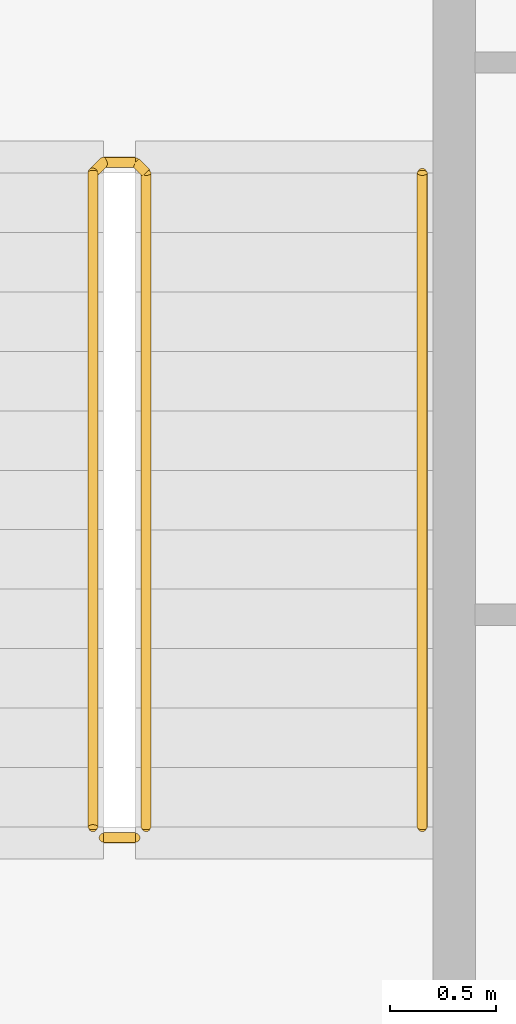
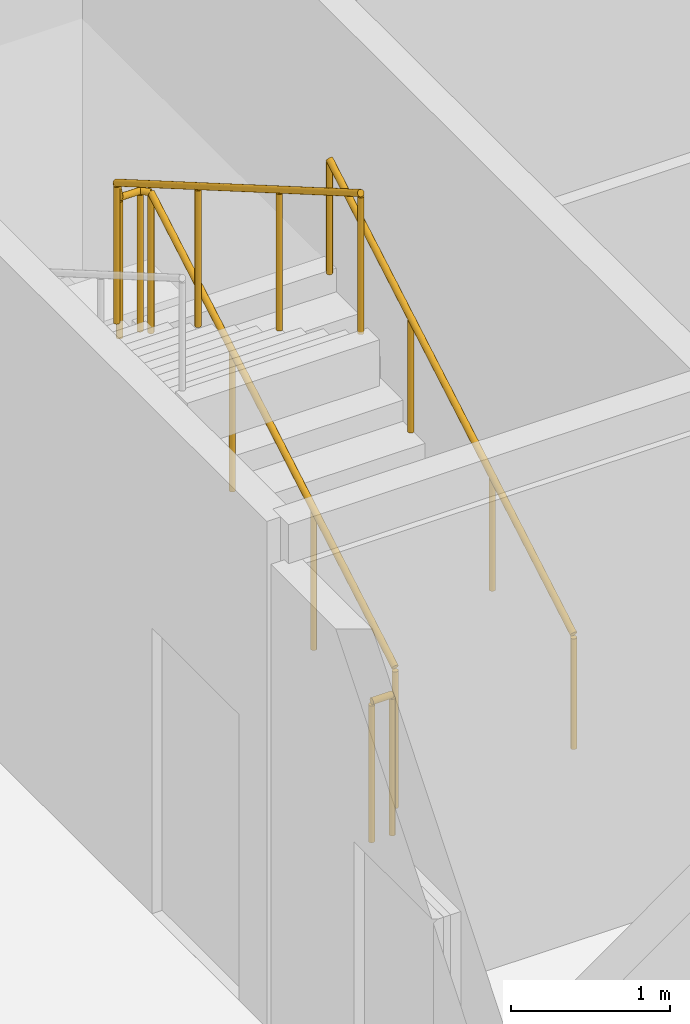
# One storey, part 16 of 17: 3 railings.
"""IFC4 building model written with IfcOpenShell, lengths in metres."""

from ifc_helpers import new_model, si_unit, direction, frame, origin, origin_2d, place, context, subcontext, project, spatial, circle, extrude, material, type_object, element, save


model = new_model("IFC4")

# Units and contexts
model_context = context("Model", 3, precision=1e-05, world=origin(), true_north=direction((0.0, 1.0)))
body_context = subcontext(model_context, "Body", "Model", "MODEL_VIEW")
ifc_project = project(units=[si_unit("LENGTHUNIT", "METRE"), si_unit("AREAUNIT", "SQUARE_METRE"), si_unit("VOLUMEUNIT", "CUBIC_METRE"), si_unit("PLANEANGLEUNIT", "RADIAN"), si_unit("MASSUNIT", "GRAM", prefix="KILO")], contexts=[model_context])

# Site, building, storey
site_placement = place(None, origin())
site = spatial("IfcSite", under=ifc_project, at=site_placement, CompositionType="ELEMENT")
building_placement = place(site_placement, origin())
building = spatial("IfcBuilding", under=site, at=building_placement, Name="Kheshtan School and Residences Tower", CompositionType="ELEMENT")
storey_placement = place(building_placement, frame((0.0, 0.0, 346.10009765625)))
storey = spatial("IfcBuildingStorey", under=building, at=storey_placement, Name="L81", CompositionType="ELEMENT", Elevation=346.10009765625)

# Railings
ifc_material_1 = material(Name="Stainless steel balustrade", Category="steel")
railing_type_1 = type_object("IfcRailingType", Name="Stair guard 1100", PredefinedType="GUARDRAIL", material=ifc_material_1)
railing_1_placement = place(storey_placement, frame((35.0, 80.89990234375, 0.162353515625)))
element("IfcRailing", 1, at=railing_1_placement, inside=storey, type_object=railing_type_1, Name="L81 ST3 stair guard 1", PredefinedType="GUARDRAIL", context=body_context, shape_type="SweptSolid", body=[
    extrude(circle(Radius=0.02392578125, at=origin_2d()), frame((0.0, 0.0, 1.076171875), z_axis=(0.0, 0.864890721111, 0.501960198159), x_axis=(-1.0, 0.0, 0.0)), (0.0, 0.0, 1.0), 3.561279296875),
    extrude(circle(Radius=0.02392578125, at=origin_2d()), frame((0.0, 3.080078125, 2.86376953125), z_axis=(-0.707106781187, 0.707106781187, 0.0), x_axis=(-0.707106781187, -0.707106781187, 0.0)), (0.0, 0.0, 1.0), 0.07080078125),
    extrude(circle(Radius=0.02392578125, at=origin_2d()), frame((-0.050048828125, 3.130126953125, 2.86376953125), z_axis=(-1.0, 0.0, 0.0), x_axis=(0.0, -1.0, 0.0)), (0.0, 0.0, 1.0), 0.14990234375),
    extrude(circle(Radius=0.02392578125, at=origin_2d()), frame((-0.199951171875, 3.130126953125, 2.86376953125), z_axis=(-0.282583949758, -0.282583949758, 0.916674763849), x_axis=(0.707106781187, -0.707106781187, 0.0)), (0.0, 0.0, 1.0), 0.177001953125),
    extrude(circle(Radius=0.02392578125, at=origin_2d()), frame((-0.25, 3.080078125, 3.02587890625), z_axis=(0.0, -0.864890721111, 0.501960198159), x_axis=(1.0, 0.0, 0.0)), (0.0, 0.0, 1.0), 3.561279296875),
    extrude(circle(Radius=0.02099609375, at=origin_2d()), origin(), (0.0, 0.0, 1.0), 1.052001953125),
    extrude(circle(Radius=0.02099609375, at=origin_2d()), frame((0.0, 1.026611328125, 0.595947265625)), (0.0, 0.0, 1.0), 1.052001953125),
    extrude(circle(Radius=0.02099609375, at=origin_2d()), frame((0.0, 2.053466796875, 1.191650390625)), (0.0, 0.0, 1.0), 1.052001953125),
    extrude(circle(Radius=0.02099609375, at=origin_2d()), frame((0.0, 3.080078125, 1.78759765625)), (0.0, 0.0, 1.0), 1.052001953125),
    extrude(circle(Radius=0.02099609375, at=origin_2d()), frame((-0.050048828125, 3.130126953125, 1.78759765625)), (0.0, 0.0, 1.0), 1.052001953125),
    extrude(circle(Radius=0.02099609375, at=origin_2d()), frame((-0.199951171875, 3.130126953125, 1.78759765625)), (0.0, 0.0, 1.0), 1.052001953125),
    extrude(circle(Radius=0.02099609375, at=origin_2d()), frame((-0.25, 3.080078125, 1.949951171875)), (0.0, 0.0, 1.0), 1.052001953125),
    extrude(circle(Radius=0.02099609375, at=origin_2d()), frame((-0.25, 2.053466796875, 2.5458984375)), (0.0, 0.0, 1.0), 1.052001953125),
    extrude(circle(Radius=0.02099609375, at=origin_2d()), frame((-0.25, 1.026611328125, 3.1416015625)), (0.0, 0.0, 1.0), 1.052001953125),
    extrude(circle(Radius=0.02099609375, at=origin_2d()), frame((-0.25, 0.0, 3.737548828125)), (0.0, 0.0, 1.0), 1.052001953125),
])
railing_2_placement = place(storey_placement, frame((34.949951171875, 80.85009765625, 0.0)))
element("IfcRailing", 2, at=railing_2_placement, inside=storey, type_object=railing_type_1, Name="L81 ST3 stair guard 2", PredefinedType="GUARDRAIL", context=body_context, shape_type="SweptSolid", body=[
    extrude(circle(Radius=0.02392578125, at=origin_2d()), frame((0.0, 0.0, 1.076171875), z_axis=(-1.0, 0.0, 0.0), x_axis=(0.0, -1.0, 0.0)), (0.0, 0.0, 1.0), 0.14990234375),
    extrude(circle(Radius=0.02099609375, at=origin_2d()), origin(), (0.0, 0.0, 1.0), 1.052001953125),
    extrude(circle(Radius=0.02099609375, at=origin_2d()), frame((-0.14990234375, 0.0, 0.0)), (0.0, 0.0, 1.0), 1.052001953125),
])
ifc_material_2 = material(Name="Stainless steel handrail", Category="steel")
railing_type_2 = type_object("IfcRailingType", Name="Stair handrail 900", PredefinedType="HANDRAIL", material=ifc_material_2)
railing_3_placement = place(storey_placement, frame((36.300048828125, 80.89990234375, 0.162353515625)))
element("IfcRailing", 3, at=railing_3_placement, inside=storey, type_object=railing_type_2, Name="L81 ST3 stair handrail 1", PredefinedType="HANDRAIL", context=body_context, shape_type="SweptSolid", body=[
    extrude(circle(Radius=0.02392578125, at=origin_2d()), frame((0.0, 0.0, 0.8759765625), z_axis=(0.0, 0.864890721111, 0.501960198159), x_axis=(-1.0, 0.0, 0.0)), (0.0, 0.0, 1.0), 3.561279296875),
    extrude(circle(Radius=0.02099609375, at=origin_2d()), origin(), (0.0, 0.0, 1.0), 0.851806640625),
    extrude(circle(Radius=0.02099609375, at=origin_2d()), frame((0.0, 1.026611328125, 0.595947265625)), (0.0, 0.0, 1.0), 0.851806640625),
    extrude(circle(Radius=0.02099609375, at=origin_2d()), frame((0.0, 2.053466796875, 1.191650390625)), (0.0, 0.0, 1.0), 0.851806640625),
    extrude(circle(Radius=0.02099609375, at=origin_2d()), frame((0.0, 3.080078125, 1.78759765625)), (0.0, 0.0, 1.0), 0.851806640625),
])

save(model, "model.ifc")
